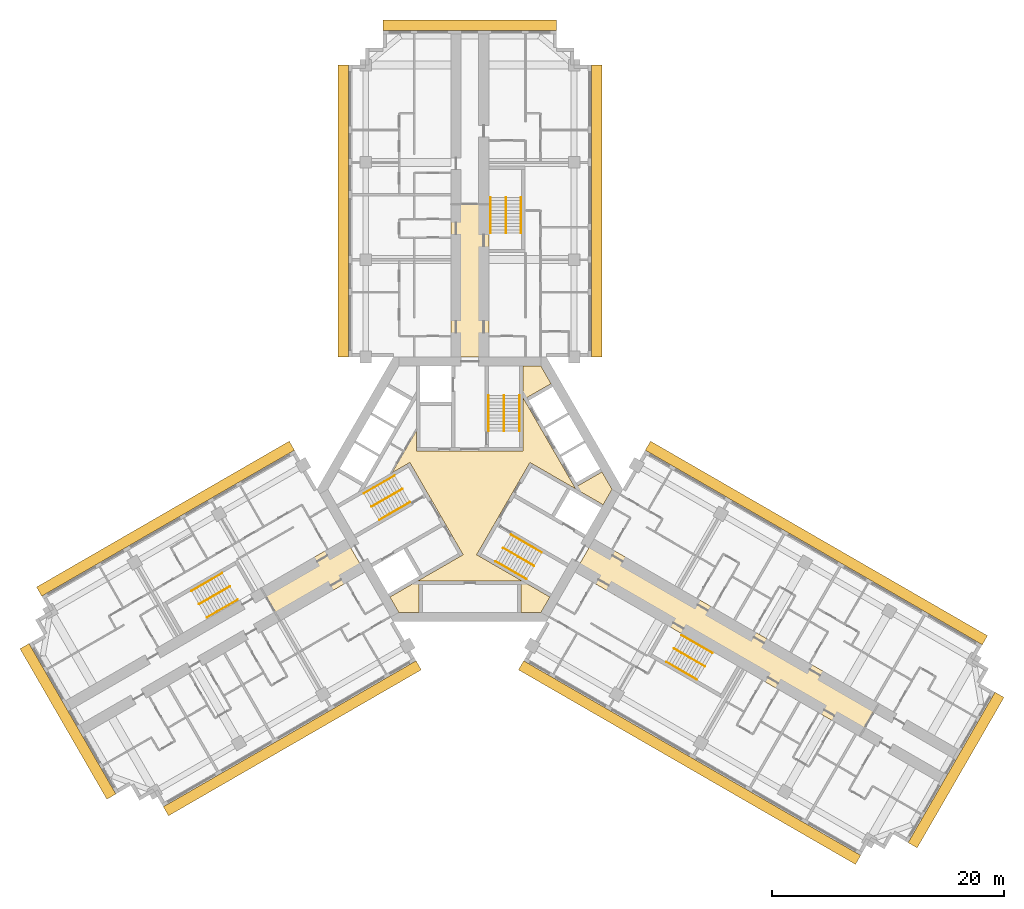
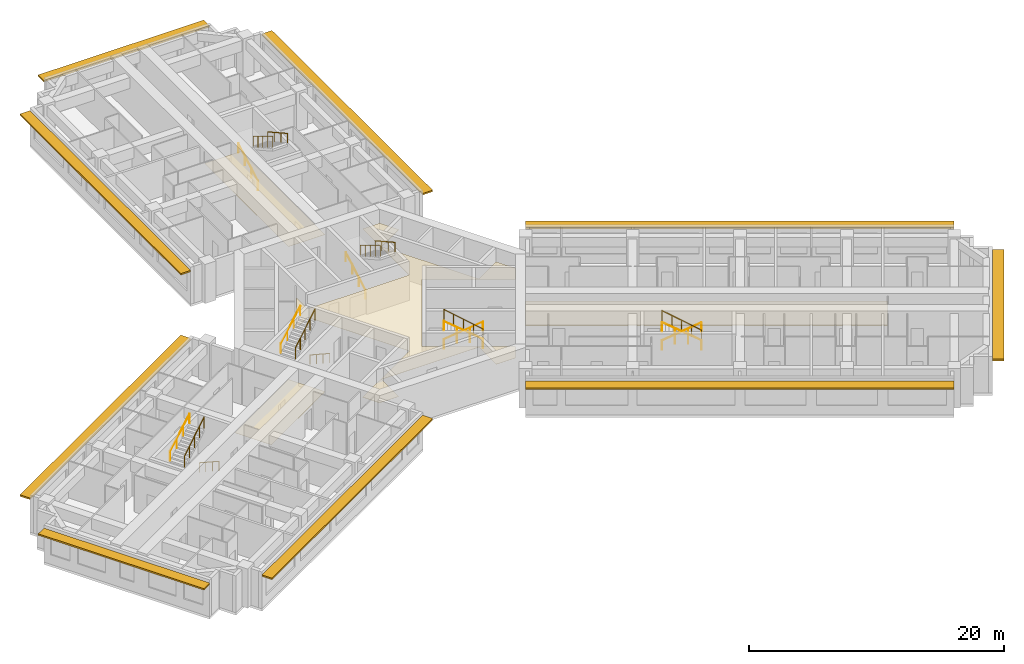
# One storey, part 13 of 13: 18 railings, 4 coverings, 3 shading devices.
"""IFC4 building model written with IfcOpenShell, lengths in metres."""

from ifc_helpers import new_model, si_unit, direction, frame, origin, origin_2d, place, context, subcontext, project, spatial, polyline, rectangle, circle, outline, extrude, material, layer, layer_set, type_object, element, save


model = new_model("IFC4")

# Units and contexts
model_context = context("Model", 3, precision=1e-05, world=origin(), true_north=direction((0.0, 1.0)))
body_context = subcontext(model_context, "Body", "Model", "MODEL_VIEW")
ifc_project = project(units=[si_unit("LENGTHUNIT", "METRE"), si_unit("AREAUNIT", "SQUARE_METRE"), si_unit("VOLUMEUNIT", "CUBIC_METRE"), si_unit("PLANEANGLEUNIT", "RADIAN"), si_unit("MASSUNIT", "GRAM", prefix="KILO")], contexts=[model_context])

# Site, building, storey
site_placement = place(None, origin())
site = spatial("IfcSite", under=ifc_project, at=site_placement, CompositionType="ELEMENT")
building_placement = place(site_placement, origin())
building = spatial("IfcBuilding", under=site, at=building_placement, Name="Impinga Residences", CompositionType="ELEMENT")
storey_placement = place(building_placement, frame((0.0, 0.0, 139.75)))
storey = spatial("IfcBuildingStorey", under=building, at=storey_placement, Name="L34", CompositionType="ELEMENT", Elevation=139.75)

# Coverings
ifc_material_1 = material(Name="Plasterboard 15 mm on steel hangers", Category="steel")
ifc_layer_1 = layer(ifc_material_1, 0.014892578125)
ifc_layer_set_1 = layer_set([ifc_layer_1], Name="Plasterboard 15 mm on steel hangers")
covering_type_1 = type_object("IfcCoveringType", Name="CL1 corridor ceiling, 15 mm plasterboard on hangers", PredefinedType="CEILING", material=ifc_layer_set_1)
covering_1_placement = place(storey_placement, frame((0.0, 0.0, 2.39990234375)))
element("IfcCovering", 1, at=covering_1_placement, inside=storey, type_object=covering_type_1, Name="Corridor ceiling CL1 L34-N00", PredefinedType="CEILING", context=body_context, shape_type="SweptSolid", body=[
    extrude(outline(polyline([(-1.64990234375, 11.431640625), (1.64990234375, 11.431640625), (1.64990234375, 24.58154296875), (-1.64990234375, 24.58154296875), (-1.64990234375, 11.431640625)])), origin(), (0.0, 0.0, 1.0), 0.01513671875),
])
covering_2_placement = place(storey_placement, frame((0.0, 0.0, 2.39990234375)))
element("IfcCovering", 2, at=covering_2_placement, inside=storey, type_object=covering_type_1, Name="Corridor ceiling CL1 L34-W00", PredefinedType="CEILING", context=body_context, shape_type="SweptSolid", body=[
    extrude(outline(polyline([(-10.72509765625, -4.286865234375), (-9.074951171875, -7.144775390625), (-16.35009765625, -11.344970703125), (-18.0, -8.487060546875), (-10.72509765625, -4.286865234375)])), origin(), (0.0, 0.0, 1.0), 0.01513671875),
])
covering_3_placement = place(storey_placement, frame((0.0, 0.0, 2.39990234375)))
element("IfcCovering", 3, at=covering_3_placement, inside=storey, type_object=covering_type_1, Name="Corridor ceiling CL1 L34-E00", PredefinedType="CEILING", context=body_context, shape_type="SweptSolid", body=[
    extrude(outline(polyline([(10.72509765625, -4.286865234375), (9.074951171875, -7.144775390625), (33.626708984375, -21.31982421875), (35.27685546875, -18.4619140625), (10.72509765625, -4.286865234375)])), origin(), (0.0, 0.0, 1.0), 0.01513671875),
])
ifc_material_2 = material(Name="Mineral fibre tiles 20 mm on exposed grid", Category="mineral fibre")
ifc_layer_2 = layer(ifc_material_2, 0.02001953125)
ifc_layer_set_2 = layer_set([ifc_layer_2], Name="CL2 lift lobby ceiling, 20 mm mineral fibre tiles")
covering_type_2 = type_object("IfcCoveringType", Name="CL2 lift lobby ceiling, 20 mm mineral fibre tiles", PredefinedType="CEILING", material=ifc_layer_set_2)
covering_4_placement = place(storey_placement, frame((0.0, 0.0, 2.39990234375)))
element("IfcCovering", 4, at=covering_4_placement, inside=storey, type_object=covering_type_2, Name="Lift lobby ceiling CL2 L34-C01", PredefinedType="CEILING", context=body_context, shape_type="SweptSolid", body=[
    extrude(outline(polyline([(5.183837890625, 2.318603515625), (0.583984375, -5.648681640625), (6.9072265625, -9.299560546875), (6.13818359375, -10.631591796875), (4.39990234375, -10.631591796875), (4.39990234375, -7.931640625), (-4.39990234375, -7.931640625), (-4.39990234375, -10.631591796875), (-6.13818359375, -10.631591796875), (-6.9072265625, -9.299560546875), (-0.583984375, -5.648681640625), (-5.183837890625, 2.318603515625), (-6.712890625, 1.435791015625), (-4.60009765625, 5.095703125), (-4.60009765625, 3.330078125), (4.60009765625, 3.330078125), (4.60009765625, 10.631591796875), (6.13818359375, 10.631591796875), (7.007080078125, 9.126220703125), (4.6689453125, 7.7763671875), (9.06884765625, 0.1552734375), (11.4072265625, 1.50537109375), (12.276123046875, 0.0), (11.507080078125, -1.33203125), (5.183837890625, 2.318603515625)])), origin(), (0.0, 0.0, 1.0), 0.02001953125),
])

# Railings
ifc_material_3 = material(Name="Steel guard, powder coated", Category="steel")
railing_type_1 = type_object("IfcRailingType", Name="GR1 stair guard 1100", PredefinedType="GUARDRAIL", material=ifc_material_3)
railing_1_placement = place(storey_placement, frame((2.949951171875, 8.110107421875, 1.875)))
element("IfcRailing", 5, at=railing_1_placement, inside=storey, type_object=railing_type_1, Name="Stair guard GR1 ST1 L34", PredefinedType="GUARDRAIL", context=body_context, shape_type="SweptSolid", body=[
    extrude(circle(Radius=0.02392578125, at=origin_2d()), frame((0.0, 0.0, 1.076171875), z_axis=(0.0, -0.854177636135, 0.519981313056), x_axis=(1.0, 0.0, 0.0)), (0.0, 0.0, 1.0), 3.60595703125),
    extrude(circle(Radius=0.02099609375, at=origin_2d()), origin(), (0.0, 0.0, 1.0), 1.052001953125),
    extrude(circle(Radius=0.02099609375, at=origin_2d()), frame((0.0, -0.77001953125, 0.46875)), (0.0, 0.0, 1.0), 1.052001953125),
    extrude(circle(Radius=0.02099609375, at=origin_2d()), frame((0.0, -1.5400390625, 0.9375)), (0.0, 0.0, 1.0), 1.052001953125),
    extrude(circle(Radius=0.02099609375, at=origin_2d()), frame((0.0, -2.31005859375, 1.40625)), (0.0, 0.0, 1.0), 1.052001953125),
    extrude(circle(Radius=0.02099609375, at=origin_2d()), frame((0.0, -3.080078125, 1.875)), (0.0, 0.0, 1.0), 1.052001953125),
])
railing_2_placement = place(storey_placement, frame((-8.49853515625, -1.500244140625, 1.875)))
element("IfcRailing", 6, at=railing_2_placement, inside=storey, type_object=railing_type_1, Name="Stair guard GR1 ST2 L34", PredefinedType="GUARDRAIL", context=body_context, shape_type="SweptSolid", body=[
    extrude(circle(Radius=0.02392578125, at=origin_2d()), frame((0.0, 0.0, 1.076171875), z_axis=(0.739746383972, 0.427084037168, 0.519975492303), x_axis=(-0.499992328818, 0.866029832698, 0.0)), (0.0, 0.0, 1.0), 3.60595703125),
    extrude(circle(Radius=0.02099609375, at=origin_2d()), origin(), (0.0, 0.0, 1.0), 1.052001953125),
    extrude(circle(Radius=0.02099609375, at=origin_2d()), frame((0.6669921875, 0.385009765625, 0.46875)), (0.0, 0.0, 1.0), 1.052001953125),
    extrude(circle(Radius=0.02099609375, at=origin_2d()), frame((1.333740234375, 0.77001953125, 0.9375)), (0.0, 0.0, 1.0), 1.052001953125),
    extrude(circle(Radius=0.02099609375, at=origin_2d()), frame((2.00048828125, 1.155029296875, 1.40625)), (0.0, 0.0, 1.0), 1.052001953125),
    extrude(circle(Radius=0.02099609375, at=origin_2d()), frame((2.66748046875, 1.5400390625, 1.875)), (0.0, 0.0, 1.0), 1.052001953125),
])
railing_3_placement = place(storey_placement, frame((5.548583984375, -6.60986328125, 1.875)))
element("IfcRailing", 7, at=railing_3_placement, inside=storey, type_object=railing_type_1, Name="Stair guard GR1 ST3 L34", PredefinedType="GUARDRAIL", context=body_context, shape_type="SweptSolid", body=[
    extrude(circle(Radius=0.02392578125, at=origin_2d()), frame((0.0, 0.0, 1.076171875), z_axis=(-0.739746383972, 0.427084037168, 0.519975492303), x_axis=(-0.499992328818, -0.866029832698, 0.0)), (0.0, 0.0, 1.0), 3.60595703125),
    extrude(circle(Radius=0.02099609375, at=origin_2d()), origin(), (0.0, 0.0, 1.0), 1.052001953125),
    extrude(circle(Radius=0.02099609375, at=origin_2d()), frame((-0.6669921875, 0.385009765625, 0.46875)), (0.0, 0.0, 1.0), 1.052001953125),
    extrude(circle(Radius=0.02099609375, at=origin_2d()), frame((-1.333740234375, 0.77001953125, 0.9375)), (0.0, 0.0, 1.0), 1.052001953125),
    extrude(circle(Radius=0.02099609375, at=origin_2d()), frame((-2.00048828125, 1.155029296875, 1.40625)), (0.0, 0.0, 1.0), 1.052001953125),
    extrude(circle(Radius=0.02099609375, at=origin_2d()), frame((-2.66748046875, 1.5400390625, 1.875)), (0.0, 0.0, 1.0), 1.052001953125),
])
railing_4_placement = place(storey_placement, frame((3.10009765625, 25.21142578125, 1.875)))
element("IfcRailing", 8, at=railing_4_placement, inside=storey, type_object=railing_type_1, Name="Stair guard GR1 WS1 L34", PredefinedType="GUARDRAIL", context=body_context, shape_type="SweptSolid", body=[
    extrude(circle(Radius=0.02392578125, at=origin_2d()), frame((0.0, 0.0, 1.076171875), z_axis=(0.0, -0.854159328187, 0.520011386482), x_axis=(1.0, 0.0, 0.0)), (0.0, 0.0, 1.0), 3.605712890625),
    extrude(circle(Radius=0.02099609375, at=origin_2d()), origin(), (0.0, 0.0, 1.0), 1.052001953125),
    extrude(circle(Radius=0.02099609375, at=origin_2d()), frame((0.0, -0.77001953125, 0.46875)), (0.0, 0.0, 1.0), 1.052001953125),
    extrude(circle(Radius=0.02099609375, at=origin_2d()), frame((0.0, -1.5400390625, 0.9375)), (0.0, 0.0, 1.0), 1.052001953125),
    extrude(circle(Radius=0.02099609375, at=origin_2d()), frame((0.0, -2.309814453125, 1.40625)), (0.0, 0.0, 1.0), 1.052001953125),
    extrude(circle(Radius=0.02099609375, at=origin_2d()), frame((0.0, -3.079833984375, 1.875)), (0.0, 0.0, 1.0), 1.052001953125),
])
railing_5_placement = place(storey_placement, frame((-23.3837890625, -9.921142578125, 1.875)))
element("IfcRailing", 9, at=railing_5_placement, inside=storey, type_object=railing_type_1, Name="Stair guard GR1 WS2 L34", PredefinedType="GUARDRAIL", context=body_context, shape_type="SweptSolid", body=[
    extrude(circle(Radius=0.02392578125, at=origin_2d()), frame((0.0, 0.0, 1.076171875), z_axis=(0.739715726454, 0.427105428144, 0.52000153585), x_axis=(-0.500026652407, 0.866010015463, 0.0)), (0.0, 0.0, 1.0), 3.605712890625),
    extrude(circle(Radius=0.02099609375, at=origin_2d()), origin(), (0.0, 0.0, 1.0), 1.052001953125),
    extrude(circle(Radius=0.02099609375, at=origin_2d()), frame((0.666748046875, 0.385009765625, 0.46875)), (0.0, 0.0, 1.0), 1.052001953125),
    extrude(circle(Radius=0.02099609375, at=origin_2d()), frame((1.33349609375, 0.77001953125, 0.9375)), (0.0, 0.0, 1.0), 1.052001953125),
    extrude(circle(Radius=0.02099609375, at=origin_2d()), frame((2.00048828125, 1.155029296875, 1.40625)), (0.0, 0.0, 1.0), 1.052001953125),
    extrude(circle(Radius=0.02099609375, at=origin_2d()), frame((2.667236328125, 1.5400390625, 1.875)), (0.0, 0.0, 1.0), 1.052001953125),
])
railing_6_placement = place(storey_placement, frame((20.283935546875, -15.29052734375, 1.875)))
element("IfcRailing", 10, at=railing_6_placement, inside=storey, type_object=railing_type_1, Name="Stair guard GR1 WS3 L34", PredefinedType="GUARDRAIL", context=body_context, shape_type="SweptSolid", body=[
    extrude(circle(Radius=0.02392578125, at=origin_2d()), frame((0.0, 0.0, 1.076171875), z_axis=(-0.739746383972, 0.427084037168, 0.519975492303), x_axis=(-0.499992328818, -0.866029832698, 0.0)), (0.0, 0.0, 1.0), 3.60595703125),
    extrude(circle(Radius=0.02099609375, at=origin_2d()), origin(), (0.0, 0.0, 1.0), 1.052001953125),
    extrude(circle(Radius=0.02099609375, at=origin_2d()), frame((-0.6669921875, 0.385009765625, 0.46875)), (0.0, 0.0, 1.0), 1.052001953125),
    extrude(circle(Radius=0.02099609375, at=origin_2d()), frame((-1.333740234375, 0.77001953125, 0.9375)), (0.0, 0.0, 1.0), 1.052001953125),
    extrude(circle(Radius=0.02099609375, at=origin_2d()), frame((-2.00048828125, 1.155029296875, 1.40625)), (0.0, 0.0, 1.0), 1.052001953125),
    extrude(circle(Radius=0.02099609375, at=origin_2d()), frame((-2.66748046875, 1.5400390625, 1.875)), (0.0, 0.0, 1.0), 1.052001953125),
])
ifc_material_4 = material(Name="Steel handrail tube 42 mm, powder coated", Category="steel")
railing_type_2 = type_object("IfcRailingType", Name="HR1 stair handrail, 42 mm steel tube, 900 above the pitch line", PredefinedType="HANDRAIL", material=ifc_material_4)
railing_7_placement = place(storey_placement, frame((1.62109375, 5.030029296875, 0.15625)))
element("IfcRailing", 11, at=railing_7_placement, inside=storey, type_object=railing_type_2, Name="Stair handrail HR1 ST1 L34", PredefinedType="HANDRAIL", context=body_context, shape_type="SweptSolid", body=[
    extrude(circle(Radius=0.02099609375, at=origin_2d()), frame((0.0, 0.0, 0.87890625), z_axis=(0.0, 0.873241540666, 0.487287606713), x_axis=(-1.0, 0.0, 0.0)), (0.0, 0.0, 1.0), 3.527099609375),
    extrude(circle(Radius=0.012451171875, at=origin_2d()), origin(), (0.0, 0.0, 1.0), 0.85791015625),
    extrude(circle(Radius=0.012451171875, at=origin_2d()), frame((0.0, 1.026611328125, 0.572998046875)), (0.0, 0.0, 1.0), 0.85791015625),
    extrude(circle(Radius=0.012451171875, at=origin_2d()), frame((0.0, 2.053466796875, 1.145751953125)), (0.0, 0.0, 1.0), 0.85791015625),
    extrude(circle(Radius=0.012451171875, at=origin_2d()), frame((0.0, 3.080078125, 1.71875)), (0.0, 0.0, 1.0), 0.85791015625),
])
railing_8_placement = place(storey_placement, frame((4.279052734375, 8.110107421875, 2.03125)))
element("IfcRailing", 12, at=railing_8_placement, inside=storey, type_object=railing_type_2, Name="Stair handrail HR1 ST1 L34", PredefinedType="HANDRAIL", context=body_context, shape_type="SweptSolid", body=[
    extrude(circle(Radius=0.02099609375, at=origin_2d()), frame((0.0, 0.0, 0.87890625), z_axis=(0.0, -0.873241540666, 0.487287606713), x_axis=(1.0, 0.0, 0.0)), (0.0, 0.0, 1.0), 3.527099609375),
    extrude(circle(Radius=0.012451171875, at=origin_2d()), origin(), (0.0, 0.0, 1.0), 0.85791015625),
    extrude(circle(Radius=0.012451171875, at=origin_2d()), frame((0.0, -1.026611328125, 0.572998046875)), (0.0, 0.0, 1.0), 0.85791015625),
    extrude(circle(Radius=0.012451171875, at=origin_2d()), frame((0.0, -2.053466796875, 1.145751953125)), (0.0, 0.0, 1.0), 0.85791015625),
    extrude(circle(Radius=0.012451171875, at=origin_2d()), frame((0.0, -3.080078125, 1.71875)), (0.0, 0.0, 1.0), 0.85791015625),
])
railing_9_placement = place(storey_placement, frame((-5.16650390625, -1.111083984375, 0.15625)))
element("IfcRailing", 13, at=railing_9_placement, inside=storey, type_object=railing_type_2, Name="Stair handrail HR1 ST2 L34", PredefinedType="HANDRAIL", context=body_context, shape_type="SweptSolid", body=[
    extrude(circle(Radius=0.02099609375, at=origin_2d()), frame((0.0, 0.0, 0.87890625), z_axis=(-0.756255980417, -0.436615662133, 0.487281905742), x_axis=(0.499992328818, -0.866029832698, 0.0)), (0.0, 0.0, 1.0), 3.527099609375),
    extrude(circle(Radius=0.012451171875, at=origin_2d()), origin(), (0.0, 0.0, 1.0), 0.85791015625),
    extrude(circle(Radius=0.012451171875, at=origin_2d()), frame((-0.88916015625, -0.513427734375, 0.572998046875)), (0.0, 0.0, 1.0), 0.85791015625),
    extrude(circle(Radius=0.012451171875, at=origin_2d()), frame((-1.7783203125, -1.026611328125, 1.145751953125)), (0.0, 0.0, 1.0), 0.85791015625),
    extrude(circle(Radius=0.012451171875, at=origin_2d()), frame((-2.66748046875, -1.5400390625, 1.71875)), (0.0, 0.0, 1.0), 0.85791015625),
])
railing_10_placement = place(storey_placement, frame((-9.1630859375, -0.349365234375, 2.03125)))
element("IfcRailing", 14, at=railing_10_placement, inside=storey, type_object=railing_type_2, Name="Stair handrail HR1 ST2 L34", PredefinedType="HANDRAIL", context=body_context, shape_type="SweptSolid", body=[
    extrude(circle(Radius=0.02099609375, at=origin_2d()), frame((0.0, 0.0, 0.87890625), z_axis=(0.756255980417, 0.436615662133, 0.487281905742), x_axis=(-0.499992328818, 0.866029832698, 0.0)), (0.0, 0.0, 1.0), 3.527099609375),
    extrude(circle(Radius=0.012451171875, at=origin_2d()), origin(), (0.0, 0.0, 1.0), 0.85791015625),
    extrude(circle(Radius=0.012451171875, at=origin_2d()), frame((0.88916015625, 0.513427734375, 0.572998046875)), (0.0, 0.0, 1.0), 0.85791015625),
    extrude(circle(Radius=0.012451171875, at=origin_2d()), frame((1.7783203125, 1.026611328125, 1.145751953125)), (0.0, 0.0, 1.0), 0.85791015625),
    extrude(circle(Radius=0.012451171875, at=origin_2d()), frame((2.66748046875, 1.5400390625, 1.71875)), (0.0, 0.0, 1.0), 0.85791015625),
])
railing_11_placement = place(storey_placement, frame((3.545654296875, -3.9189453125, 0.15625)))
element("IfcRailing", 15, at=railing_11_placement, inside=storey, type_object=railing_type_2, Name="Stair handrail HR1 ST3 L34", PredefinedType="HANDRAIL", context=body_context, shape_type="SweptSolid", body=[
    extrude(circle(Radius=0.02099609375, at=origin_2d()), frame((0.0, 0.0, 0.87890625), z_axis=(0.756249203677, -0.436582492228, 0.487322141317), x_axis=(0.499967199496, 0.866044340336, 0.0)), (0.0, 0.0, 1.0), 3.52685546875),
    extrude(circle(Radius=0.012451171875, at=origin_2d()), origin(), (0.0, 0.0, 1.0), 0.85791015625),
    extrude(circle(Radius=0.012451171875, at=origin_2d()), frame((0.88916015625, -0.51318359375, 0.572998046875)), (0.0, 0.0, 1.0), 0.85791015625),
    extrude(circle(Radius=0.012451171875, at=origin_2d()), frame((1.778076171875, -1.026611328125, 1.145751953125)), (0.0, 0.0, 1.0), 0.85791015625),
    extrude(circle(Radius=0.012451171875, at=origin_2d()), frame((2.667236328125, -1.539794921875, 1.71875)), (0.0, 0.0, 1.0), 0.85791015625),
])
railing_12_placement = place(storey_placement, frame((4.884033203125, -7.7607421875, 2.03125)))
element("IfcRailing", 16, at=railing_12_placement, inside=storey, type_object=railing_type_2, Name="Stair handrail HR1 ST3 L34", PredefinedType="HANDRAIL", context=body_context, shape_type="SweptSolid", body=[
    extrude(circle(Radius=0.02099609375, at=origin_2d()), frame((0.0, 0.0, 0.87890625), z_axis=(-0.756255980417, 0.436615662133, 0.487281905742), x_axis=(-0.499992328818, -0.866029832698, 0.0)), (0.0, 0.0, 1.0), 3.527099609375),
    extrude(circle(Radius=0.012451171875, at=origin_2d()), origin(), (0.0, 0.0, 1.0), 0.85791015625),
    extrude(circle(Radius=0.012451171875, at=origin_2d()), frame((-0.88916015625, 0.513427734375, 0.572998046875)), (0.0, 0.0, 1.0), 0.85791015625),
    extrude(circle(Radius=0.012451171875, at=origin_2d()), frame((-1.7783203125, 1.026611328125, 1.145751953125)), (0.0, 0.0, 1.0), 0.85791015625),
    extrude(circle(Radius=0.012451171875, at=origin_2d()), frame((-2.66748046875, 1.5400390625, 1.71875)), (0.0, 0.0, 1.0), 0.85791015625),
])
railing_13_placement = place(storey_placement, frame((1.77099609375, 22.131591796875, 0.15625)))
element("IfcRailing", 17, at=railing_13_placement, inside=storey, type_object=railing_type_2, Name="Stair handrail HR1 WS1 L34", PredefinedType="HANDRAIL", context=body_context, shape_type="SweptSolid", body=[
    extrude(circle(Radius=0.02099609375, at=origin_2d()), frame((0.0, 0.0, 0.87890625), z_axis=(0.0, 0.873225103656, 0.487317061414), x_axis=(-1.0, 0.0, 0.0)), (0.0, 0.0, 1.0), 3.52685546875),
    extrude(circle(Radius=0.012451171875, at=origin_2d()), origin(), (0.0, 0.0, 1.0), 0.85791015625),
    extrude(circle(Radius=0.012451171875, at=origin_2d()), frame((0.0, 1.026611328125, 0.572998046875)), (0.0, 0.0, 1.0), 0.85791015625),
    extrude(circle(Radius=0.012451171875, at=origin_2d()), frame((0.0, 2.05322265625, 1.145751953125)), (0.0, 0.0, 1.0), 0.85791015625),
    extrude(circle(Radius=0.012451171875, at=origin_2d()), frame((0.0, 3.079833984375, 1.71875)), (0.0, 0.0, 1.0), 0.85791015625),
])
railing_14_placement = place(storey_placement, frame((4.428955078125, 25.21142578125, 2.03125)))
element("IfcRailing", 18, at=railing_14_placement, inside=storey, type_object=railing_type_2, Name="Stair handrail HR1 WS1 L34", PredefinedType="HANDRAIL", context=body_context, shape_type="SweptSolid", body=[
    extrude(circle(Radius=0.02099609375, at=origin_2d()), frame((0.0, 0.0, 0.87890625), z_axis=(0.0, -0.873225103656, 0.487317061414), x_axis=(1.0, 0.0, 0.0)), (0.0, 0.0, 1.0), 3.52685546875),
    extrude(circle(Radius=0.012451171875, at=origin_2d()), origin(), (0.0, 0.0, 1.0), 0.85791015625),
    extrude(circle(Radius=0.012451171875, at=origin_2d()), frame((0.0, -1.026611328125, 0.572998046875)), (0.0, 0.0, 1.0), 0.85791015625),
    extrude(circle(Radius=0.012451171875, at=origin_2d()), frame((0.0, -2.05322265625, 1.145751953125)), (0.0, 0.0, 1.0), 0.85791015625),
    extrude(circle(Radius=0.012451171875, at=origin_2d()), frame((0.0, -3.079833984375, 1.71875)), (0.0, 0.0, 1.0), 0.85791015625),
])
railing_15_placement = place(storey_placement, frame((-20.052001953125, -9.531982421875, 0.15625)))
element("IfcRailing", 19, at=railing_15_placement, inside=storey, type_object=railing_type_2, Name="Stair handrail HR1 WS2 L34", PredefinedType="HANDRAIL", context=body_context, shape_type="SweptSolid", body=[
    extrude(circle(Radius=0.02099609375, at=origin_2d()), frame((0.0, 0.0, 0.87890625), z_axis=(-0.756226348243, -0.436638517594, 0.487307413422), x_axis=(0.500026652407, -0.866010015463, 0.0)), (0.0, 0.0, 1.0), 3.527099609375),
    extrude(circle(Radius=0.012451171875, at=origin_2d()), origin(), (0.0, 0.0, 1.0), 0.85791015625),
    extrude(circle(Radius=0.012451171875, at=origin_2d()), frame((-0.88916015625, -0.513427734375, 0.572998046875)), (0.0, 0.0, 1.0), 0.85791015625),
    extrude(circle(Radius=0.012451171875, at=origin_2d()), frame((-1.778076171875, -1.026611328125, 1.145751953125)), (0.0, 0.0, 1.0), 0.85791015625),
    extrude(circle(Radius=0.012451171875, at=origin_2d()), frame((-2.667236328125, -1.5400390625, 1.71875)), (0.0, 0.0, 1.0), 0.85791015625),
])
railing_16_placement = place(storey_placement, frame((-24.04833984375, -8.77001953125, 2.03125)))
element("IfcRailing", 20, at=railing_16_placement, inside=storey, type_object=railing_type_2, Name="Stair handrail HR1 WS2 L34", PredefinedType="HANDRAIL", context=body_context, shape_type="SweptSolid", body=[
    extrude(circle(Radius=0.02099609375, at=origin_2d()), frame((0.0, 0.0, 0.87890625), z_axis=(0.756278834354, 0.436559638319, 0.487296631324), x_axis=(-0.499932877268, 0.866064153644, 0.0)), (0.0, 0.0, 1.0), 3.527099609375),
    extrude(circle(Radius=0.012451171875, at=origin_2d()), origin(), (0.0, 0.0, 1.0), 0.85791015625),
    extrude(circle(Radius=0.012451171875, at=origin_2d()), frame((0.88916015625, 0.51318359375, 0.572998046875)), (0.0, 0.0, 1.0), 0.85791015625),
    extrude(circle(Radius=0.012451171875, at=origin_2d()), frame((1.7783203125, 1.026611328125, 1.145751953125)), (0.0, 0.0, 1.0), 0.85791015625),
    extrude(circle(Radius=0.012451171875, at=origin_2d()), frame((2.66748046875, 1.539794921875, 1.71875)), (0.0, 0.0, 1.0), 0.85791015625),
])
railing_17_placement = place(storey_placement, frame((18.281005859375, -12.599609375, 0.15625)))
element("IfcRailing", 21, at=railing_17_placement, inside=storey, type_object=railing_type_2, Name="Stair handrail HR1 WS3 L34", PredefinedType="HANDRAIL", context=body_context, shape_type="SweptSolid", body=[
    extrude(circle(Radius=0.02099609375, at=origin_2d()), frame((0.0, 0.0, 0.87890625), z_axis=(0.756249203677, -0.436582492228, 0.487322141317), x_axis=(0.499967199496, 0.866044340336, 0.0)), (0.0, 0.0, 1.0), 3.52685546875),
    extrude(circle(Radius=0.012451171875, at=origin_2d()), origin(), (0.0, 0.0, 1.0), 0.85791015625),
    extrude(circle(Radius=0.012451171875, at=origin_2d()), frame((0.88916015625, -0.51318359375, 0.572998046875)), (0.0, 0.0, 1.0), 0.85791015625),
    extrude(circle(Radius=0.012451171875, at=origin_2d()), frame((1.778076171875, -1.026611328125, 1.145751953125)), (0.0, 0.0, 1.0), 0.85791015625),
    extrude(circle(Radius=0.012451171875, at=origin_2d()), frame((2.667236328125, -1.539794921875, 1.71875)), (0.0, 0.0, 1.0), 0.85791015625),
])
railing_18_placement = place(storey_placement, frame((19.619384765625, -16.44140625, 2.03125)))
element("IfcRailing", 22, at=railing_18_placement, inside=storey, type_object=railing_type_2, Name="Stair handrail HR1 WS3 L34", PredefinedType="HANDRAIL", context=body_context, shape_type="SweptSolid", body=[
    extrude(circle(Radius=0.02099609375, at=origin_2d()), frame((0.0, 0.0, 0.87890625), z_axis=(-0.756255980417, 0.436615662133, 0.487281905742), x_axis=(-0.499992328818, -0.866029832698, 0.0)), (0.0, 0.0, 1.0), 3.527099609375),
    extrude(circle(Radius=0.012451171875, at=origin_2d()), origin(), (0.0, 0.0, 1.0), 0.85791015625),
    extrude(circle(Radius=0.012451171875, at=origin_2d()), frame((-0.88916015625, 0.513427734375, 0.572998046875)), (0.0, 0.0, 1.0), 0.85791015625),
    extrude(circle(Radius=0.012451171875, at=origin_2d()), frame((-1.7783203125, 1.026611328125, 1.145751953125)), (0.0, 0.0, 1.0), 0.85791015625),
    extrude(circle(Radius=0.012451171875, at=origin_2d()), frame((-2.66748046875, 1.5400390625, 1.71875)), (0.0, 0.0, 1.0), 0.85791015625),
])

# Shading devices
ifc_material_5 = material(Name="Terracotta sunshade blades on aluminium brackets", Category="masonry")
ifc_layer_3 = layer(ifc_material_5, 0.14990234375)
ifc_layer_set_3 = layer_set([ifc_layer_3], Name="SS1 SUNSHADE terracotta sunshade band 900")
shading_device_type = type_object("IfcShadingDeviceType", Name="SS1 SUNSHADE terracotta sunshade band 900", PredefinedType="USERDEFINED", material=ifc_layer_set_3)
shading_device_1_placement = place(storey_placement, frame((-10.949951171875, 24.031494140625, 3.10009765625), z_axis=(0.0, 0.0, 1.0), x_axis=(0.0, 1.0, 0.0)))
element("IfcShadingDevice", 23, at=shading_device_1_placement, inside=storey, type_object=shading_device_type, Name="SUNSHADE band L34 NORTH WING", ObjectType="SUNSHADE", PredefinedType="USERDEFINED", context=body_context, shape_type="SweptSolid", body=[
    extrude(rectangle(XDim=25.199951171875, YDim=0.89990234375, at=origin_2d()), origin(), (0.0, 0.0, 1.0), 0.14990234375),
    extrude(rectangle(XDim=15.0, YDim=0.89990234375, at=origin_2d()), frame((16.050048828125, -10.949951171875, 0.0), z_axis=(0.0, 0.0, 1.0), x_axis=(0.0, -1.0, 0.0)), (0.0, 0.0, 1.0), 0.14990234375),
    extrude(rectangle(XDim=25.199951171875, YDim=0.89990234375, at=origin_2d()), frame((0.0, -21.89990234375, 0.0), z_axis=(0.0, 0.0, 1.0), x_axis=(-1.0, 0.0, 0.0)), (0.0, 0.0, 1.0), 0.14990234375),
])
shading_device_2_placement = place(storey_placement, frame((-15.3369140625, -21.498779296875, 3.10009765625), z_axis=(0.0, 0.0, 1.0), x_axis=(-0.866025403784, -0.5, 0.0)))
element("IfcShadingDevice", 24, at=shading_device_2_placement, inside=storey, type_object=shading_device_type, Name="SUNSHADE band L34 WEST WING", ObjectType="SUNSHADE", PredefinedType="USERDEFINED", context=body_context, shape_type="SweptSolid", body=[
    extrude(rectangle(XDim=25.199951171875, YDim=0.89990234375, at=origin_2d()), origin(), (0.0, 0.0, 1.0), 0.14990234375),
    extrude(rectangle(XDim=15.0, YDim=0.89990234375, at=origin_2d()), frame((16.050048828125, -10.949951171875, 0.0), z_axis=(0.0, 0.0, 1.0), x_axis=(0.0, -1.0, 0.0)), (0.0, 0.0, 1.0), 0.14990234375),
    extrude(rectangle(XDim=25.199951171875, YDim=0.89990234375, at=origin_2d()), frame((0.0, -21.900146484375, 0.0), z_axis=(0.0, 0.0, 1.0), x_axis=(-1.0, 0.0, 0.0)), (0.0, 0.0, 1.0), 0.14990234375),
])
shading_device_3_placement = place(storey_placement, frame((41.986328125, -24.24072265625, 3.10009765625), z_axis=(0.0, 0.0, 1.0), x_axis=(-0.5, -0.866025403784, 0.0)))
element("IfcShadingDevice", 25, at=shading_device_3_placement, inside=storey, type_object=shading_device_type, Name="SUNSHADE band L34 EAST WING", ObjectType="SUNSHADE", PredefinedType="USERDEFINED", context=body_context, shape_type="SweptSolid", body=[
    extrude(rectangle(XDim=15.0, YDim=0.89990234375, at=origin_2d()), origin(), (0.0, 0.0, 1.0), 0.14990234375),
    extrude(rectangle(XDim=33.60009765625, YDim=0.89990234375, at=origin_2d()), frame((10.949951171875, -20.250244140625, 0.0), z_axis=(0.0, 0.0, 1.0), x_axis=(0.0, -1.0, 0.0)), (0.0, 0.0, 1.0), 0.14990234375),
    extrude(rectangle(XDim=33.60009765625, YDim=0.89990234375, at=origin_2d()), frame((-10.949951171875, -20.25, 0.0), z_axis=(0.0, 0.0, 1.0), x_axis=(0.0, 1.0, 0.0)), (0.0, 0.0, 1.0), 0.14990234375),
])

save(model, "model.ifc")
